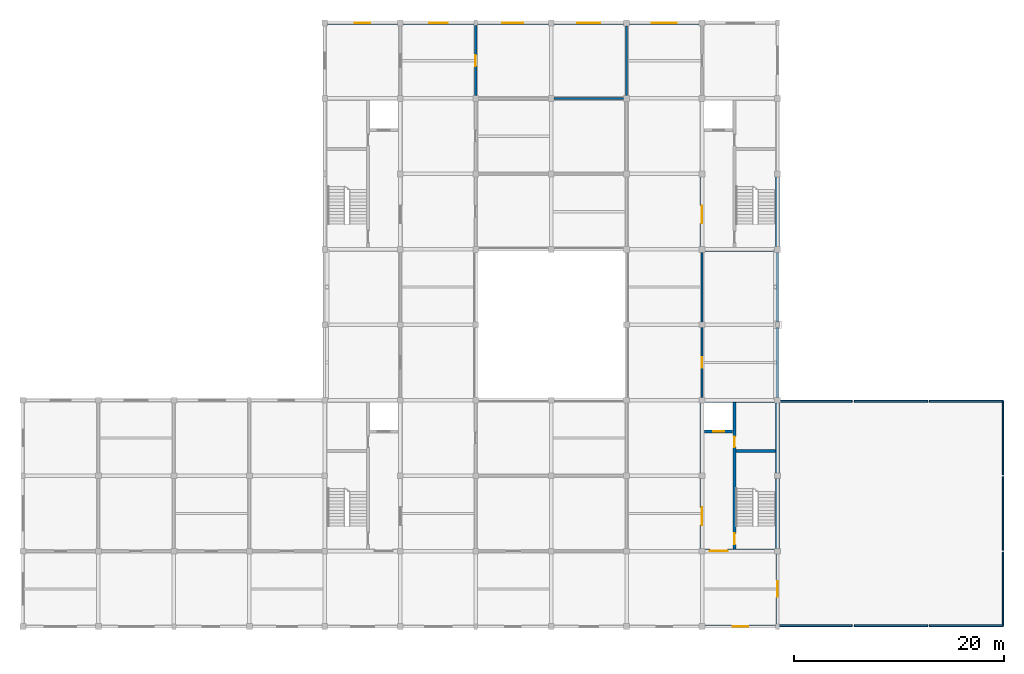
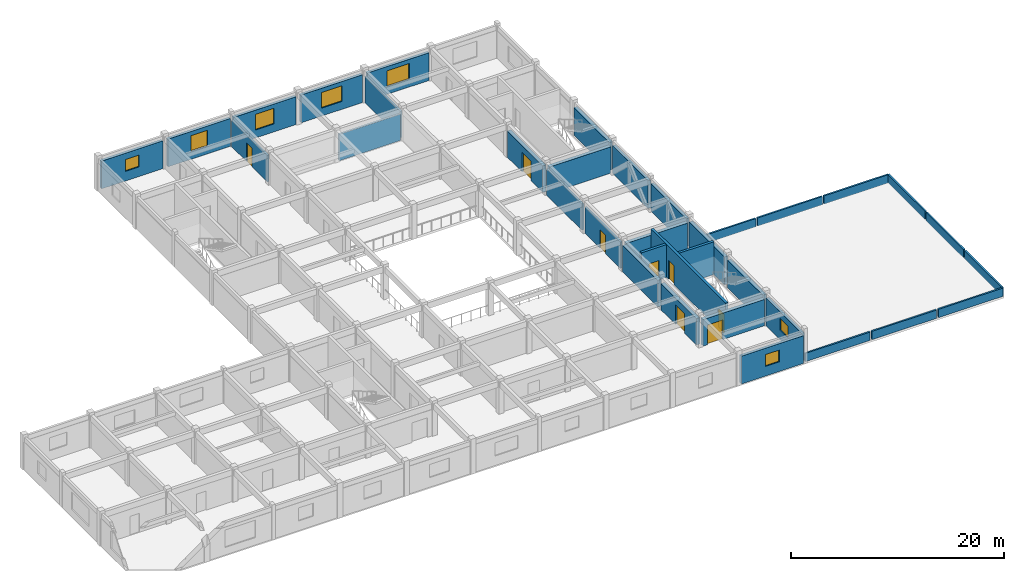
# One storey, part 6 of 8: 35 walls, 8 doors, 7 windows, 15 openings.
"""IFC4 building model written with IfcOpenShell, lengths in metres."""

from ifc_helpers import new_model, si_unit, direction, frame, frame_2d, origin, place, context, subcontext, project, spatial, rectangle, extrude, material, layer, layer_set, type_object, element, fill, save


model = new_model("IFC4")

# Units and contexts
model_context = context("Model", 3, precision=1e-05, world=origin(), true_north=direction((0.0, 1.0)))
body_context = subcontext(model_context, "Body", "Model", "MODEL_VIEW")
ifc_project = project(units=[si_unit("LENGTHUNIT", "METRE"), si_unit("AREAUNIT", "SQUARE_METRE"), si_unit("VOLUMEUNIT", "CUBIC_METRE"), si_unit("PLANEANGLEUNIT", "RADIAN"), si_unit("MASSUNIT", "GRAM", prefix="KILO")], contexts=[model_context])

# Site, building, storey
site_placement = place(None, origin())
site = spatial("IfcSite", under=ifc_project, at=site_placement, CompositionType="ELEMENT")
building_placement = place(site_placement, origin())
building = spatial("IfcBuilding", under=site, at=building_placement, Name="Cendaluz Park School", CompositionType="ELEMENT")
storey_placement = place(building_placement, frame((0.0, 0.0, 42.800048828125)))
storey = spatial("IfcBuildingStorey", under=building, at=storey_placement, Name="L10", CompositionType="ELEMENT", Elevation=42.800048828125)

# Wall
ifc_material_1 = material(Name="Gypsum Plasterboard on Cold-Formed Stud", Category="gypsum")
ifc_layer_1 = layer(ifc_material_1, 0.199951171875)
ifc_layer_set_1 = layer_set([ifc_layer_1], Name="Gypsum Plasterboard on Cold-Formed Stud")
wall_type_1 = type_object("IfcWallType", Name="W-AC20", PredefinedType="PARTITIONING", material=ifc_layer_set_1)
wall_1_placement = place(storey_placement, frame((86.679931640625, 57.60009765625, 0.0), z_axis=(0.0, 0.0, 1.0), x_axis=(1.0, 0.0, 0.0)))
element("IfcWall", 1, at=wall_1_placement, inside=storey, type_object=wall_type_1, Name="WL-FK-BL9", PredefinedType="PARTITIONING", context=body_context, shape_type="SweptSolid", body=[
    extrude(rectangle(XDim=6.64013671875, YDim=0.199951171875, at=frame_2d((3.320068359375, 0.0))), origin(), (0.0, 0.0, 1.0), 3.02001953125),
])

# Wall, opening, door
wall_2_placement = place(storey_placement, frame((79.199951171875, 57.8798828125, 0.0), z_axis=(0.0, 0.0, 1.0), x_axis=(0.0, 1.0, 0.0)))
wall_2 = element("IfcWall", 2, at=wall_2_placement, inside=storey, type_object=wall_type_1, Name="WL-FK-BM1", PredefinedType="PARTITIONING", context=body_context, shape_type="SweptSolid", body=[
    extrude(rectangle(XDim=6.66015625, YDim=0.199951171875, at=frame_2d((3.330078125, 0.0))), origin(), (0.0, 0.0, 1.0), 3.02001953125),
])
opening_1_placement = place(wall_2_placement, frame((2.81005859375, 0.0, 0.0)))
opening_1 = element("IfcOpeningElement", 3, at=opening_1_placement, cuts=wall_2, Name="Opening DCL-03", PredefinedType="OPENING", context=body_context, shape_type="SweptSolid", body=[
    extrude(rectangle(XDim=1.0400390625, YDim=2.139892578125, at=frame_2d((0.52001953125, 1.06982421875))), frame((0.0, 0.112060546875, 0.0), z_axis=(0.0, -1.0, 0.0), x_axis=(1.0, 0.0, 0.0)), (0.0, 0.0, 1.0), 0.223876953125),
])
ifc_material_2 = material(Name="Solid Core Hardwood", Category="wood")
door_type_1 = type_object("IfcDoorType", Name="DCL-03", OperationType="NOTDEFINED", PredefinedType="DOOR", material=ifc_material_2)
door_1_placement = place(opening_1_placement, frame((1.0400390625, 0.0, 0.0), z_axis=(0.0, 0.0, 1.0), x_axis=(-1.0, 0.0, 0.0)))
door_1 = element("IfcDoor", 4, at=door_1_placement, inside=storey, type_object=door_type_1, Name="D-L10-020", OperationType="SINGLE_SWING_RIGHT", OverallHeight=2.139892578125, OverallWidth=1.0400390625, PredefinedType="DOOR", context=body_context, shape_type="SweptSolid", body=[
    extrude(rectangle(XDim=1.0400390625, YDim=2.139892578125, at=frame_2d((0.52001953125, 1.06982421875))), frame((0.0, 0.02490234375, 0.0), z_axis=(0.0, -1.0, 0.0), x_axis=(1.0, 0.0, 0.0)), (0.0, 0.0, 1.0), 0.050048828125),
])
fill(opening_1, door_1)

# Wall
wall_3_placement = place(storey_placement, frame((93.60009765625, 57.8798828125, 0.0), z_axis=(0.0, 0.0, 1.0), x_axis=(0.0, 1.0, 0.0)))
element("IfcWall", 5, at=wall_3_placement, inside=storey, type_object=wall_type_1, Name="WL-FK-BM2", PredefinedType="PARTITIONING", context=body_context, shape_type="SweptSolid", body=[
    extrude(rectangle(XDim=6.64013671875, YDim=0.199951171875, at=frame_2d((3.320068359375, 0.0))), origin(), (0.0, 0.0, 1.0), 3.02001953125),
])

# Wall, opening, door
wall_4_placement = place(storey_placement, frame((100.800048828125, 29.080078125, 0.0), z_axis=(0.0, 0.0, 1.0), x_axis=(0.0, 1.0, 0.0)))
wall_4 = element("IfcWall", 6, at=wall_4_placement, inside=storey, type_object=wall_type_1, Name="WL-FK-BO6", PredefinedType="PARTITIONING", context=body_context, shape_type="SweptSolid", body=[
    extrude(rectangle(XDim=6.639892578125, YDim=0.199951171875, at=frame_2d((3.31982421875, 0.0))), origin(), (0.0, 0.0, 1.0), 3.02001953125),
])
opening_2_placement = place(wall_4_placement, frame((2.800048828125, 0.0, 0.0)))
opening_2 = element("IfcOpeningElement", 7, at=opening_2_placement, cuts=wall_4, Name="Opening DCL-03", PredefinedType="OPENING", context=body_context, shape_type="SweptSolid", body=[
    extrude(rectangle(XDim=1.0400390625, YDim=2.139892578125, at=frame_2d((0.52001953125, 1.06982421875))), frame((0.0, 0.112060546875, 0.0), z_axis=(0.0, -1.0, 0.0), x_axis=(1.0, 0.0, 0.0)), (0.0, 0.0, 1.0), 0.223876953125),
])
door_2_placement = place(opening_2_placement, frame((1.0400390625, 0.0, 0.0), z_axis=(0.0, 0.0, 1.0), x_axis=(-1.0, 0.0, 0.0)))
door_2 = element("IfcDoor", 8, at=door_2_placement, inside=storey, type_object=door_type_1, Name="D-L10-030", OperationType="SINGLE_SWING_RIGHT", OverallHeight=2.139892578125, OverallWidth=1.0400390625, PredefinedType="DOOR", context=body_context, shape_type="SweptSolid", body=[
    extrude(rectangle(XDim=1.0400390625, YDim=2.139892578125, at=frame_2d((0.52001953125, 1.06982421875))), frame((0.0, 0.02490234375, 0.0), z_axis=(0.0, -1.0, 0.0), x_axis=(1.0, 0.0, 0.0)), (0.0, 0.0, 1.0), 0.050048828125),
])
fill(opening_2, door_2)

# Wall
wall_5_placement = place(storey_placement, frame((100.800048828125, 36.280029296875, 0.0), z_axis=(0.0, 0.0, 1.0), x_axis=(0.0, 1.0, 0.0)))
element("IfcWall", 9, at=wall_5_placement, inside=storey, type_object=wall_type_1, Name="WL-FK-BO7", PredefinedType="PARTITIONING", context=body_context, shape_type="SweptSolid", body=[
    extrude(rectangle(XDim=6.639892578125, YDim=0.199951171875, at=frame_2d((3.31982421875, 0.0))), origin(), (0.0, 0.0, 1.0), 3.02001953125),
])

# Wall, opening, window
ifc_material_3 = material(Name="Cross-laminated timber CLT C24", Category="wood")
ifc_layer_2 = layer(ifc_material_3, 0.300048828125)
ifc_layer_set_2 = layer_set([ifc_layer_2], Name="Cross-laminated timber CLT C24")
wall_type_2 = type_object("IfcWallType", Name="W-EX30", PredefinedType="SOLIDWALL", material=ifc_layer_set_2)
wall_6_placement = place(storey_placement, frame((65.080078125, 64.800048828125, 0.0), z_axis=(0.0, 0.0, 1.0), x_axis=(1.0, 0.0, 0.0)))
wall_6 = element("IfcWall", 10, at=wall_6_placement, inside=storey, type_object=wall_type_2, Name="WL-FK-AB4", PredefinedType="SOLIDWALL", context=body_context, shape_type="SweptSolid", body=[
    extrude(rectangle(XDim=6.639892578125, YDim=0.300048828125, at=frame_2d((3.31982421875, 0.0))), origin(), (0.0, 0.0, 1.0), 3.179931640625),
])
opening_3_placement = place(wall_6_placement, frame((2.570068359375, 0.0, 1.10009765625)))
opening_3 = element("IfcOpeningElement", 11, at=opening_3_placement, cuts=wall_6, Name="Opening WN-20", PredefinedType="OPENING", context=body_context, shape_type="SweptSolid", body=[
    extrude(rectangle(XDim=1.5, YDim=1.35009765625, at=frame_2d((0.75, 0.675048828125))), frame((0.0, 0.162109375, 0.0), z_axis=(0.0, -1.0, 0.0), x_axis=(1.0, 0.0, 0.0)), (0.0, 0.0, 1.0), 0.323974609375),
])
ifc_material_4 = material(Name="Tempered Low-E Double Glazing", Category="glass")
window_type_1 = type_object("IfcWindowType", Name="WN-20", PartitioningType="SINGLE_PANEL", PredefinedType="WINDOW", material=ifc_material_4)
window_1_placement = place(opening_3_placement, origin())
window_1 = element("IfcWindow", 12, at=window_1_placement, inside=storey, type_object=window_type_1, Name="WN-L10-013", OverallHeight=1.35009765625, OverallWidth=1.5, PartitioningType="SINGLE_PANEL", PredefinedType="WINDOW", context=body_context, shape_type="SweptSolid", body=[
    extrude(rectangle(XDim=1.5, YDim=1.35009765625, at=frame_2d((0.75, 0.675048828125))), frame((0.0, 0.030029296875, 0.0), z_axis=(0.0, -1.0, 0.0), x_axis=(1.0, 0.0, 0.0)), (0.0, 0.0, 1.0), 0.06005859375),
])
fill(opening_3, window_1)

wall_7_placement = place(storey_placement, frame((72.280029296875, 64.800048828125, 0.0), z_axis=(0.0, 0.0, 1.0), x_axis=(1.0, 0.0, 0.0)))
wall_7 = element("IfcWall", 13, at=wall_7_placement, inside=storey, type_object=wall_type_2, Name="WL-FK-AB7", PredefinedType="SOLIDWALL", context=body_context, shape_type="SweptSolid", body=[
    extrude(rectangle(XDim=6.739990234375, YDim=0.300048828125, at=frame_2d((3.3701171875, 0.0))), origin(), (0.0, 0.0, 1.0), 3.179931640625),
])
opening_4_placement = place(wall_7_placement, frame((2.469970703125, 0.0, 0.89990234375)))
opening_4 = element("IfcOpeningElement", 14, at=opening_4_placement, cuts=wall_7, Name="Opening WN-01", PredefinedType="OPENING", context=body_context, shape_type="SweptSolid", body=[
    extrude(rectangle(XDim=1.800048828125, YDim=1.800048828125, at=frame_2d((0.89990234375, 0.89990234375))), frame((0.0, 0.162109375, 0.0), z_axis=(0.0, -1.0, 0.0), x_axis=(1.0, 0.0, 0.0)), (0.0, 0.0, 1.0), 0.323974609375),
])
window_type_2 = type_object("IfcWindowType", Name="WN-01", PartitioningType="SINGLE_PANEL", PredefinedType="WINDOW", material=ifc_material_4)
window_2_placement = place(opening_4_placement, origin())
window_2 = element("IfcWindow", 15, at=window_2_placement, inside=storey, type_object=window_type_2, Name="WN-L10-016", OverallHeight=1.800048828125, OverallWidth=1.800048828125, PartitioningType="SINGLE_PANEL", PredefinedType="WINDOW", context=body_context, shape_type="SweptSolid", body=[
    extrude(rectangle(XDim=1.800048828125, YDim=1.800048828125, at=frame_2d((0.89990234375, 0.89990234375))), frame((0.0, 0.030029296875, 0.0), z_axis=(0.0, -1.0, 0.0), x_axis=(1.0, 0.0, 0.0)), (0.0, 0.0, 1.0), 0.06005859375),
])
fill(opening_4, window_2)

wall_8_placement = place(storey_placement, frame((79.3798828125, 64.800048828125, 0.0), z_axis=(0.0, 0.0, 1.0), x_axis=(1.0, 0.0, 0.0)))
wall_8 = element("IfcWall", 16, at=wall_8_placement, inside=storey, type_object=wall_type_2, Name="WL-FK-AB9", PredefinedType="SOLIDWALL", context=body_context, shape_type="SweptSolid", body=[
    extrude(rectangle(XDim=6.740234375, YDim=0.300048828125, at=frame_2d((3.3701171875, 0.0))), origin(), (0.0, 0.0, 1.0), 3.179931640625),
])
opening_5_placement = place(wall_8_placement, frame((2.3701171875, 0.0, 0.89990234375)))
opening_5 = element("IfcOpeningElement", 17, at=opening_5_placement, cuts=wall_8, Name="Opening WN-02", PredefinedType="OPENING", context=body_context, shape_type="SweptSolid", body=[
    extrude(rectangle(XDim=2.0, YDim=1.800048828125, at=frame_2d((1.0, 0.89990234375))), frame((0.0, 0.162109375, 0.0), z_axis=(0.0, -1.0, 0.0), x_axis=(1.0, 0.0, 0.0)), (0.0, 0.0, 1.0), 0.323974609375),
])
window_type_3 = type_object("IfcWindowType", Name="WN-02", PartitioningType="SINGLE_PANEL", PredefinedType="WINDOW", material=ifc_material_4)
window_3_placement = place(opening_5_placement, origin())
window_3 = element("IfcWindow", 18, at=window_3_placement, inside=storey, type_object=window_type_3, Name="WN-L10-018", OverallHeight=1.800048828125, OverallWidth=2.0, PartitioningType="SINGLE_PANEL", PredefinedType="WINDOW", context=body_context, shape_type="SweptSolid", body=[
    extrude(rectangle(XDim=2.0, YDim=1.800048828125, at=frame_2d((1.0, 0.89990234375))), frame((0.0, 0.030029296875, 0.0), z_axis=(0.0, -1.0, 0.0), x_axis=(1.0, 0.0, 0.0)), (0.0, 0.0, 1.0), 0.06005859375),
])
fill(opening_5, window_3)

wall_9_placement = place(storey_placement, frame((86.679931640625, 64.800048828125, 0.0), z_axis=(0.0, 0.0, 1.0), x_axis=(1.0, 0.0, 0.0)))
wall_9 = element("IfcWall", 19, at=wall_9_placement, inside=storey, type_object=wall_type_2, Name="WL-FK-AC1", PredefinedType="SOLIDWALL", context=body_context, shape_type="SweptSolid", body=[
    extrude(rectangle(XDim=6.64013671875, YDim=0.300048828125, at=frame_2d((3.320068359375, 0.0))), origin(), (0.0, 0.0, 1.0), 3.179931640625),
])
opening_6_placement = place(wall_9_placement, frame((2.219970703125, 0.0, 0.89990234375)))
opening_6 = element("IfcOpeningElement", 20, at=opening_6_placement, cuts=wall_9, Name="Opening WN-03", PredefinedType="OPENING", context=body_context, shape_type="SweptSolid", body=[
    extrude(rectangle(XDim=2.199951171875, YDim=1.800048828125, at=frame_2d((1.10009765625, 0.89990234375))), frame((0.0, 0.162109375, 0.0), z_axis=(0.0, -1.0, 0.0), x_axis=(1.0, 0.0, 0.0)), (0.0, 0.0, 1.0), 0.323974609375),
])
window_type_4 = type_object("IfcWindowType", Name="WN-03", PartitioningType="SINGLE_PANEL", PredefinedType="WINDOW", material=ifc_material_4)
window_4_placement = place(opening_6_placement, origin())
window_4 = element("IfcWindow", 21, at=window_4_placement, inside=storey, type_object=window_type_4, Name="WN-L10-020", OverallHeight=1.800048828125, OverallWidth=2.199951171875, PartitioningType="SINGLE_PANEL", PredefinedType="WINDOW", context=body_context, shape_type="SweptSolid", body=[
    extrude(rectangle(XDim=2.199951171875, YDim=1.800048828125, at=frame_2d((1.10009765625, 0.89990234375))), frame((0.0, 0.030029296875, 0.0), z_axis=(0.0, -1.0, 0.0), x_axis=(1.0, 0.0, 0.0)), (0.0, 0.0, 1.0), 0.06005859375),
])
fill(opening_6, window_4)

wall_10_placement = place(storey_placement, frame((93.8798828125, 64.800048828125, 0.0), z_axis=(0.0, 0.0, 1.0), x_axis=(1.0, 0.0, 0.0)))
wall_10 = element("IfcWall", 22, at=wall_10_placement, inside=storey, type_object=wall_type_2, Name="WL-FK-AC3", PredefinedType="SOLIDWALL", context=body_context, shape_type="SweptSolid", body=[
    extrude(rectangle(XDim=6.64013671875, YDim=0.300048828125, at=frame_2d((3.320068359375, 0.0))), origin(), (0.0, 0.0, 1.0), 3.179931640625),
])
opening_7_placement = place(wall_10_placement, frame((2.1201171875, 0.0, 0.89990234375)))
opening_7 = element("IfcOpeningElement", 23, at=opening_7_placement, cuts=wall_10, Name="Opening WN-04", PredefinedType="OPENING", context=body_context, shape_type="SweptSolid", body=[
    extrude(rectangle(XDim=2.39990234375, YDim=1.800048828125, at=frame_2d((1.199951171875, 0.89990234375))), frame((0.0, 0.162109375, 0.0), z_axis=(0.0, -1.0, 0.0), x_axis=(1.0, 0.0, 0.0)), (0.0, 0.0, 1.0), 0.323974609375),
])
window_type_5 = type_object("IfcWindowType", Name="WN-04", PartitioningType="SINGLE_PANEL", PredefinedType="WINDOW", material=ifc_material_4)
window_5_placement = place(opening_7_placement, origin())
window_5 = element("IfcWindow", 24, at=window_5_placement, inside=storey, type_object=window_type_5, Name="WN-L10-022", OverallHeight=1.800048828125, OverallWidth=2.39990234375, PartitioningType="SINGLE_PANEL", PredefinedType="WINDOW", context=body_context, shape_type="SweptSolid", body=[
    extrude(rectangle(XDim=2.39990234375, YDim=1.800048828125, at=frame_2d((1.199951171875, 0.89990234375))), frame((0.0, 0.030029296875, 0.0), z_axis=(0.0, -1.0, 0.0), x_axis=(1.0, 0.0, 0.0)), (0.0, 0.0, 1.0), 0.06005859375),
])
fill(opening_7, window_5)

wall_11_placement = place(storey_placement, frame((101.080078125, 7.199951171875, 0.0), z_axis=(0.0, 0.0, 1.0), x_axis=(1.0, 0.0, 0.0)))
wall_11 = element("IfcWall", 25, at=wall_11_placement, inside=storey, type_object=wall_type_2, Name="WL-FK-AC4", PredefinedType="SOLIDWALL", context=body_context, shape_type="SweptSolid", body=[
    extrude(rectangle(XDim=6.739990234375, YDim=0.300048828125, at=frame_2d((3.3701171875, 0.0))), origin(), (0.0, 0.0, 1.0), 3.179931640625),
])
opening_8_placement = place(wall_11_placement, frame((2.6201171875, 0.0, 1.10009765625)))
opening_8 = element("IfcOpeningElement", 26, at=opening_8_placement, cuts=wall_11, Name="Opening WN-20", PredefinedType="OPENING", context=body_context, shape_type="SweptSolid", body=[
    extrude(rectangle(XDim=1.5, YDim=1.35009765625, at=frame_2d((0.75, 0.675048828125))), frame((0.0, 0.162109375, 0.0), z_axis=(0.0, -1.0, 0.0), x_axis=(1.0, 0.0, 0.0)), (0.0, 0.0, 1.0), 0.323974609375),
])
window_6_placement = place(opening_8_placement, origin())
window_6 = element("IfcWindow", 27, at=window_6_placement, inside=storey, type_object=window_type_1, Name="WN-L10-023", OverallHeight=1.35009765625, OverallWidth=1.5, PartitioningType="SINGLE_PANEL", PredefinedType="WINDOW", context=body_context, shape_type="SweptSolid", body=[
    extrude(rectangle(XDim=1.5, YDim=1.35009765625, at=frame_2d((0.75, 0.675048828125))), frame((0.0, 0.030029296875, 0.0), z_axis=(0.0, -1.0, 0.0), x_axis=(1.0, 0.0, 0.0)), (0.0, 0.0, 1.0), 0.06005859375),
])
fill(opening_8, window_6)

wall_12_placement = place(storey_placement, frame((108.0, 7.4599609375, 0.0), z_axis=(0.0, 0.0, 1.0), x_axis=(0.0, 1.0, 0.0)))
wall_12 = element("IfcWall", 28, at=wall_12_placement, inside=storey, type_object=wall_type_2, Name="WL-FK-AC5", PredefinedType="SOLIDWALL", context=body_context, shape_type="SweptSolid", body=[
    extrude(rectangle(XDim=6.66015625, YDim=0.300048828125, at=frame_2d((3.330078125, 0.0))), origin(), (0.0, 0.0, 1.0), 3.179931640625),
])
opening_9_placement = place(wall_12_placement, frame((2.580078125, 0.0, 1.10009765625)))
opening_9 = element("IfcOpeningElement", 29, at=opening_9_placement, cuts=wall_12, Name="Opening WN-20", PredefinedType="OPENING", context=body_context, shape_type="SweptSolid", body=[
    extrude(rectangle(XDim=1.5, YDim=1.35009765625, at=frame_2d((0.75, 0.675048828125))), frame((0.0, 0.162109375, 0.0), z_axis=(0.0, -1.0, 0.0), x_axis=(1.0, 0.0, 0.0)), (0.0, 0.0, 1.0), 0.323974609375),
])
window_7_placement = place(opening_9_placement, origin())
window_7 = element("IfcWindow", 30, at=window_7_placement, inside=storey, type_object=window_type_1, Name="WN-L10-024", OverallHeight=1.35009765625, OverallWidth=1.5, PartitioningType="SINGLE_PANEL", PredefinedType="WINDOW", context=body_context, shape_type="SweptSolid", body=[
    extrude(rectangle(XDim=1.5, YDim=1.35009765625, at=frame_2d((0.75, 0.675048828125))), frame((0.0, 0.030029296875, 0.0), z_axis=(0.0, -1.0, 0.0), x_axis=(1.0, 0.0, 0.0)), (0.0, 0.0, 1.0), 0.06005859375),
])
fill(opening_9, window_7)

# Walls
for number, where, z_axis, x_axis, name in (
    (31, (108.0, 29.080078125, 0.0), (0.0, 0.0, 1.0), (0.0, 1.0, 0.0), "WL-FK-AC6"),
    (32, (108.0, 36.260009765625, 0.0), (0.0, 0.0, 1.0), (0.0, 1.0, 0.0), "WL-FK-AC7"),
):
    element("IfcWall", number, at=place(storey_placement, frame(where, z_axis=z_axis, x_axis=x_axis)), inside=storey, type_object=wall_type_2, Name=name, PredefinedType="SOLIDWALL", context=body_context, shape_type="SweptSolid", body=[
        extrude(rectangle(XDim=6.659912109375, YDim=0.300048828125, at=frame_2d((3.330078125, 0.0))), origin(), (0.0, 0.0, 1.0), 3.179931640625),
    ])

# Wall, openings, doors
ifc_material_5 = material(Name="Concrete C40/50", Category="concrete")
ifc_layer_3 = layer(ifc_material_5, 0.280029296875)
ifc_layer_set_3 = layer_set([ifc_layer_3], Name="Concrete C40/50")
wall_type_3 = type_object("IfcWallType", Name="W-FW28", PredefinedType="SHEAR", material=ifc_layer_set_3)
wall_13_placement = place(storey_placement, frame((103.8798828125, 14.60009765625, 0.0), z_axis=(0.0, 0.0, 1.0), x_axis=(0.0, 1.0, 0.0)))
wall_13 = element("IfcWall", 33, at=wall_13_placement, inside=storey, type_object=wall_type_3, Name="WL-FK-BJ4", PredefinedType="SHEAR", context=body_context, shape_type="SweptSolid", body=[
    extrude(rectangle(XDim=14.0, YDim=0.280029296875, at=frame_2d((7.0, 0.0))), origin(), (0.0, 0.0, 1.0), 3.75),
])
opening_10_placement = place(wall_13_placement, frame((0.449951171875, 0.0, 0.0)))
opening_10 = element("IfcOpeningElement", 34, at=opening_10_placement, cuts=wall_13, Name="Opening DST-02", PredefinedType="OPENING", context=body_context, shape_type="SweptSolid", body=[
    extrude(rectangle(XDim=1.050048828125, YDim=2.14990234375, at=frame_2d((0.52490234375, 1.074951171875))), frame((0.0, 0.152099609375, 0.0), z_axis=(0.0, -1.0, 0.0), x_axis=(1.0, 0.0, 0.0)), (0.0, 0.0, 1.0), 0.303955078125),
])
opening_11_placement = place(wall_13_placement, frame((9.719970703125, 0.0, 0.0)))
opening_11 = element("IfcOpeningElement", 35, at=opening_11_placement, cuts=wall_13, Name="Opening DFC-01", PredefinedType="OPENING", context=body_context, shape_type="SweptSolid", body=[
    extrude(rectangle(XDim=1.0, YDim=2.14990234375, at=frame_2d((0.5, 1.074951171875))), frame((0.0, 0.152099609375, 0.0), z_axis=(0.0, -1.0, 0.0), x_axis=(1.0, 0.0, 0.0)), (0.0, 0.0, 1.0), 0.303955078125),
])
door_type_2 = type_object("IfcDoorType", Name="DFC-01", OperationType="NOTDEFINED", PredefinedType="DOOR", material=ifc_material_2)
door_3_placement = place(opening_11_placement, frame((1.0, 0.0, 0.0), z_axis=(0.0, 0.0, 1.0), x_axis=(-1.0, 0.0, 0.0)))
door_3 = element("IfcDoor", 36, at=door_3_placement, inside=storey, type_object=door_type_2, Name="D-L10-009", OperationType="SINGLE_SWING_RIGHT", OverallHeight=2.14990234375, OverallWidth=1.0, PredefinedType="DOOR", context=body_context, shape_type="SweptSolid", body=[
    extrude(rectangle(XDim=1.0, YDim=2.14990234375, at=frame_2d((0.5, 1.074951171875))), frame((0.0, 0.02490234375, 0.0), z_axis=(0.0, -1.0, 0.0), x_axis=(1.0, 0.0, 0.0)), (0.0, 0.0, 1.0), 0.050048828125),
])
fill(opening_11, door_3)
door_type_3 = type_object("IfcDoorType", Name="DST-02", OperationType="NOTDEFINED", PredefinedType="DOOR", material=ifc_material_2)
door_4_placement = place(opening_10_placement, frame((1.050048828125, 0.0, 0.0), z_axis=(0.0, 0.0, 1.0), x_axis=(-1.0, 0.0, 0.0)))
door_4 = element("IfcDoor", 37, at=door_4_placement, inside=storey, type_object=door_type_3, Name="D-L10-008", OperationType="SINGLE_SWING_RIGHT", OverallHeight=2.14990234375, OverallWidth=1.050048828125, PredefinedType="DOOR", context=body_context, shape_type="SweptSolid", body=[
    extrude(rectangle(XDim=1.050048828125, YDim=2.14990234375, at=frame_2d((0.52490234375, 1.074951171875))), frame((0.0, 0.02490234375, 0.0), z_axis=(0.0, -1.0, 0.0), x_axis=(1.0, 0.0, 0.0)), (0.0, 0.0, 1.0), 0.050048828125),
])
fill(opening_10, door_4)

# Wall
wall_14_placement = place(storey_placement, frame((104.02001953125, 23.97998046875, 0.0), z_axis=(0.0, 0.0, 1.0), x_axis=(1.0, 0.0, 0.0)))
element("IfcWall", 38, at=wall_14_placement, inside=storey, type_object=wall_type_3, Name="WL-FK-BJ5", PredefinedType="SHEAR", context=body_context, shape_type="SweptSolid", body=[
    extrude(rectangle(XDim=3.780029296875, YDim=0.280029296875, at=frame_2d((1.89013671875, 0.0))), origin(), (0.0, 0.0, 1.0), 3.75),
])

# Wall, opening, door
wall_15_placement = place(storey_placement, frame((101.0400390625, 25.800048828125, 0.0), z_axis=(0.0, 0.0, 1.0), x_axis=(1.0, 0.0, 0.0)))
wall_15 = element("IfcWall", 39, at=wall_15_placement, inside=storey, type_object=wall_type_3, Name="WL-FK-BJ6", PredefinedType="SHEAR", context=body_context, shape_type="SweptSolid", body=[
    extrude(rectangle(XDim=2.679931640625, YDim=0.280029296875, at=frame_2d((1.33984375, 0.0))), origin(), (0.0, 0.0, 1.0), 3.75),
])
opening_12_placement = place(wall_15_placement, frame((0.81494140625, 0.0, 0.0)))
opening_12 = element("IfcOpeningElement", 40, at=opening_12_placement, cuts=wall_15, Name="Opening LD-02", PredefinedType="OPENING", context=body_context, shape_type="SweptSolid", body=[
    extrude(rectangle(XDim=1.050048828125, YDim=2.199951171875, at=frame_2d((0.52490234375, 1.10009765625))), frame((0.0, 0.152099609375, 0.0), z_axis=(0.0, -1.0, 0.0), x_axis=(1.0, 0.0, 0.0)), (0.0, 0.0, 1.0), 0.303955078125),
])
ifc_material_6 = material(Name="Stainless Steel 316L", Category="steel")
door_type_4 = type_object("IfcDoorType", Name="LD-02", OperationType="DOUBLE_DOOR_SLIDING", PredefinedType="DOOR", material=ifc_material_6)
door_5_placement = place(opening_12_placement, frame((1.050048828125, 0.0, 0.0), z_axis=(0.0, 0.0, 1.0), x_axis=(-1.0, 0.0, 0.0)))
door_5 = element("IfcDoor", 41, at=door_5_placement, inside=storey, type_object=door_type_4, Name="D-L10-010", OperationType="DOUBLE_DOOR_SLIDING", OverallHeight=2.199951171875, OverallWidth=1.050048828125, PredefinedType="DOOR", context=body_context, shape_type="SweptSolid", body=[
    extrude(rectangle(XDim=1.050048828125, YDim=2.199951171875, at=frame_2d((0.52490234375, 1.10009765625))), frame((0.0, 0.02490234375, 0.0), z_axis=(0.0, -1.0, 0.0), x_axis=(1.0, 0.0, 0.0)), (0.0, 0.0, 1.0), 0.050048828125),
])
fill(opening_12, door_5)

# Walls
ifc_material_7 = material(Name="Concrete C40/50 precast", Category="concrete")
ifc_layer_4 = layer(ifc_material_7, 0.179931640625)
ifc_layer_set_4 = layer_set([ifc_layer_4], Name="Concrete C40/50 precast")
wall_type_4 = type_object("IfcWallType", Name="W-PR18", PredefinedType="PARAPET", material=ifc_layer_set_4)
for number, where, z_axis, x_axis, name in (
    (42, (108.090087890625, 7.2900390625, 0.0), (0.0, 0.0, 1.0), (1.0, 0.0, 0.0), "WL-FK-AD0"),
    (43, (108.090087890625, 28.7099609375, 0.0), (0.0, 0.0, 1.0), (1.0, 0.0, 0.0), "WL-FK-AD1"),
    (44, (115.2900390625, 7.2900390625, 0.0), (0.0, 0.0, 1.0), (1.0, 0.0, 0.0), "WL-FK-AD2"),
    (45, (115.2900390625, 28.7099609375, 0.0), (0.0, 0.0, 1.0), (1.0, 0.0, 0.0), "WL-FK-AD3"),
    (46, (122.489990234375, 7.2900390625, 0.0), (0.0, 0.0, 1.0), (1.0, 0.0, 0.0), "WL-FK-AD4"),
    (47, (129.510009765625, 7.2900390625, 0.0), (0.0, 0.0, 1.0), (0.0, 1.0, 0.0), "WL-FK-AD5"),
    (48, (129.510009765625, 14.489990234375, 0.0), (0.0, 0.0, 1.0), (0.0, 1.0, 0.0), "WL-FK-AD6"),
    (49, (122.489990234375, 28.7099609375, 0.0), (0.0, 0.0, 1.0), (1.0, 0.0, 0.0), "WL-FK-AD7"),
    (50, (129.510009765625, 21.68994140625, 0.0), (0.0, 0.0, 1.0), (0.0, 1.0, 0.0), "WL-FK-AD8"),
):
    element("IfcWall", number, at=place(storey_placement, frame(where, z_axis=z_axis, x_axis=x_axis)), inside=storey, type_object=wall_type_4, Name=name, PredefinedType="PARAPET", context=body_context, shape_type="SweptSolid", body=[
        extrude(rectangle(XDim=7.02001953125, YDim=0.179931640625, at=frame_2d((3.510009765625, 0.0))), origin(), (0.0, 0.0, 1.0), 0.949951171875),
    ])

# Wall, opening, door
ifc_layer_5 = layer(ifc_material_5, 0.3798828125)
ifc_layer_set_5 = layer_set([ifc_layer_5], Name="Concrete C40/50")
wall_type_5 = type_object("IfcWallType", Name="W-SH38", PredefinedType="SHEAR", material=ifc_layer_set_5)
wall_16_placement = place(storey_placement, frame((100.800048828125, 14.679931640625, 0.0), z_axis=(0.0, 0.0, 1.0), x_axis=(0.0, 1.0, 0.0)))
wall_16 = element("IfcWall", 51, at=wall_16_placement, inside=storey, type_object=wall_type_5, Name="WL-FK-BI8", PredefinedType="SHEAR", context=body_context, shape_type="SweptSolid", body=[
    extrude(rectangle(XDim=6.64013671875, YDim=0.3798828125, at=frame_2d((3.320068359375, 0.0))), origin(), (0.0, 0.0, 1.0), 3.02001953125),
])
opening_13_placement = place(wall_16_placement, frame((2.199951171875, 0.0, 0.0)))
opening_13 = element("IfcOpeningElement", 52, at=opening_13_placement, cuts=wall_16, Name="Opening DLB-02", PredefinedType="OPENING", context=body_context, shape_type="SweptSolid", body=[
    extrude(rectangle(XDim=1.699951171875, YDim=2.25, at=frame_2d((0.85009765625, 1.125))), frame((0.0, 0.201904296875, 0.0), z_axis=(0.0, -1.0, 0.0), x_axis=(1.0, 0.0, 0.0)), (0.0, 0.0, 1.0), 0.40380859375),
])
door_type_5 = type_object("IfcDoorType", Name="DLB-02", OperationType="DOUBLE_DOOR_SINGLE_SWING", PredefinedType="DOOR", material=ifc_material_2)
door_6_placement = place(opening_13_placement, frame((1.699951171875, 0.0, 0.0), z_axis=(0.0, 0.0, 1.0), x_axis=(-1.0, 0.0, 0.0)))
door_6 = element("IfcDoor", 53, at=door_6_placement, inside=storey, type_object=door_type_5, Name="D-L10-006", OperationType="DOUBLE_DOOR_SINGLE_SWING", OverallHeight=2.25, OverallWidth=1.699951171875, PredefinedType="DOOR", context=body_context, shape_type="SweptSolid", body=[
    extrude(rectangle(XDim=1.699951171875, YDim=2.25, at=frame_2d((0.85009765625, 1.125))), frame((0.0, 0.02490234375, 0.0), z_axis=(0.0, -1.0, 0.0), x_axis=(1.0, 0.0, 0.0)), (0.0, 0.0, 1.0), 0.050048828125),
])
fill(opening_13, door_6)

# Walls
wall_17_placement = place(storey_placement, frame((100.800048828125, 21.8798828125, 0.0), z_axis=(0.0, 0.0, 1.0), x_axis=(0.0, 1.0, 0.0)))
element("IfcWall", 54, at=wall_17_placement, inside=storey, type_object=wall_type_5, Name="WL-FK-BI9", PredefinedType="SHEAR", context=body_context, shape_type="SweptSolid", body=[
    extrude(rectangle(XDim=6.64013671875, YDim=0.3798828125, at=frame_2d((3.320068359375, 0.0))), origin(), (0.0, 0.0, 1.0), 3.02001953125),
])
for number, where, z_axis, x_axis, name in (
    (55, (108.0, 14.679931640625, 0.0), (0.0, 0.0, 1.0), (0.0, 1.0, 0.0), "WL-FK-BJ0"),
    (56, (108.0, 21.8798828125, 0.0), (0.0, 0.0, 1.0), (0.0, 1.0, 0.0), "WL-FK-BJ1"),
):
    element("IfcWall", number, at=place(storey_placement, frame(where, z_axis=z_axis, x_axis=x_axis)), inside=storey, type_object=wall_type_5, Name=name, PredefinedType="SHEAR", context=body_context, shape_type="SweptSolid", body=[
        extrude(rectangle(XDim=6.64013671875, YDim=0.3798828125, at=frame_2d((3.320068359375, 0.0))), origin(), (0.0, 0.0, 1.0), 3.179931640625),
    ])

# Wall, opening, door
wall_18_placement = place(storey_placement, frame((101.080078125, 14.39990234375, 0.0), z_axis=(0.0, 0.0, 1.0), x_axis=(1.0, 0.0, 0.0)))
wall_18 = element("IfcWall", 57, at=wall_18_placement, inside=storey, type_object=wall_type_5, Name="WL-FK-BJ2", PredefinedType="SHEAR", context=body_context, shape_type="SweptSolid", body=[
    extrude(rectangle(XDim=6.639892578125, YDim=0.3798828125, at=frame_2d((3.31982421875, 0.0))), origin(), (0.0, 0.0, 1.0), 3.02001953125),
])
opening_14_placement = place(wall_18_placement, frame((0.449951171875, 0.0, 0.0)))
opening_14 = element("IfcOpeningElement", 58, at=opening_14_placement, cuts=wall_18, Name="Opening DLB-02", PredefinedType="OPENING", context=body_context, shape_type="SweptSolid", body=[
    extrude(rectangle(XDim=1.699951171875, YDim=2.25, at=frame_2d((0.85009765625, 1.125))), frame((0.0, 0.201904296875, 0.0), z_axis=(0.0, -1.0, 0.0), x_axis=(1.0, 0.0, 0.0)), (0.0, 0.0, 1.0), 0.40380859375),
])
door_7_placement = place(opening_14_placement, origin())
door_7 = element("IfcDoor", 59, at=door_7_placement, inside=storey, type_object=door_type_5, Name="D-L10-007", OperationType="DOUBLE_DOOR_SINGLE_SWING", OverallHeight=2.25, OverallWidth=1.699951171875, PredefinedType="DOOR", context=body_context, shape_type="SweptSolid", body=[
    extrude(rectangle(XDim=1.699951171875, YDim=2.25, at=frame_2d((0.85009765625, 1.125))), frame((0.0, 0.02490234375, 0.0), z_axis=(0.0, -1.0, 0.0), x_axis=(1.0, 0.0, 0.0)), (0.0, 0.0, 1.0), 0.050048828125),
])
fill(opening_14, door_7)

# Wall
wall_19_placement = place(storey_placement, frame((101.080078125, 28.800048828125, 0.0), z_axis=(0.0, 0.0, 1.0), x_axis=(1.0, 0.0, 0.0)))
element("IfcWall", 60, at=wall_19_placement, inside=storey, type_object=wall_type_5, Name="WL-FK-BJ3", PredefinedType="SHEAR", context=body_context, shape_type="SweptSolid", body=[
    extrude(rectangle(XDim=6.639892578125, YDim=0.3798828125, at=frame_2d((3.31982421875, 0.0))), origin(), (0.0, 0.0, 1.0), 3.02001953125),
])

# Wall, opening, door
wall_20_placement = place(storey_placement, frame((100.800048828125, 43.47998046875, 0.0), z_axis=(0.0, 0.0, 1.0), x_axis=(0.0, 1.0, 0.0)))
wall_20 = element("IfcWall", 61, at=wall_20_placement, inside=storey, type_object=wall_type_5, Name="WL-FK-BK6", PredefinedType="SHEAR", context=body_context, shape_type="SweptSolid", body=[
    extrude(rectangle(XDim=6.64013671875, YDim=0.3798828125, at=frame_2d((3.320068359375, 0.0))), origin(), (0.0, 0.0, 1.0), 3.02001953125),
])
opening_15_placement = place(wall_20_placement, frame((2.199951171875, 0.0, 0.0)))
opening_15 = element("IfcOpeningElement", 62, at=opening_15_placement, cuts=wall_20, Name="Opening DLB-02", PredefinedType="OPENING", context=body_context, shape_type="SweptSolid", body=[
    extrude(rectangle(XDim=1.699951171875, YDim=2.25, at=frame_2d((0.85009765625, 1.125))), frame((0.0, 0.201904296875, 0.0), z_axis=(0.0, -1.0, 0.0), x_axis=(1.0, 0.0, 0.0)), (0.0, 0.0, 1.0), 0.40380859375),
])
door_8_placement = place(opening_15_placement, frame((1.699951171875, 0.0, 0.0), z_axis=(0.0, 0.0, 1.0), x_axis=(-1.0, 0.0, 0.0)))
door_8 = element("IfcDoor", 63, at=door_8_placement, inside=storey, type_object=door_type_5, Name="D-L10-015", OperationType="DOUBLE_DOOR_SINGLE_SWING", OverallHeight=2.25, OverallWidth=1.699951171875, PredefinedType="DOOR", context=body_context, shape_type="SweptSolid", body=[
    extrude(rectangle(XDim=1.699951171875, YDim=2.25, at=frame_2d((0.85009765625, 1.125))), frame((0.0, 0.02490234375, 0.0), z_axis=(0.0, -1.0, 0.0), x_axis=(1.0, 0.0, 0.0)), (0.0, 0.0, 1.0), 0.050048828125),
])
fill(opening_15, door_8)

# Walls
wall_21_placement = place(storey_placement, frame((108.0, 43.47998046875, 0.0), z_axis=(0.0, 0.0, 1.0), x_axis=(0.0, 1.0, 0.0)))
element("IfcWall", 64, at=wall_21_placement, inside=storey, type_object=wall_type_5, Name="WL-FK-BK8", PredefinedType="SHEAR", context=body_context, shape_type="SweptSolid", body=[
    extrude(rectangle(XDim=6.64013671875, YDim=0.3798828125, at=frame_2d((3.320068359375, 0.0))), origin(), (0.0, 0.0, 1.0), 3.179931640625),
])
wall_22_placement = place(storey_placement, frame((101.080078125, 43.199951171875, 0.0), z_axis=(0.0, 0.0, 1.0), x_axis=(1.0, 0.0, 0.0)))
element("IfcWall", 65, at=wall_22_placement, inside=storey, type_object=wall_type_5, Name="WL-FK-BL0", PredefinedType="SHEAR", context=body_context, shape_type="SweptSolid", body=[
    extrude(rectangle(XDim=6.639892578125, YDim=0.3798828125, at=frame_2d((3.31982421875, 0.0))), origin(), (0.0, 0.0, 1.0), 3.02001953125),
])

save(model, "model.ifc")
